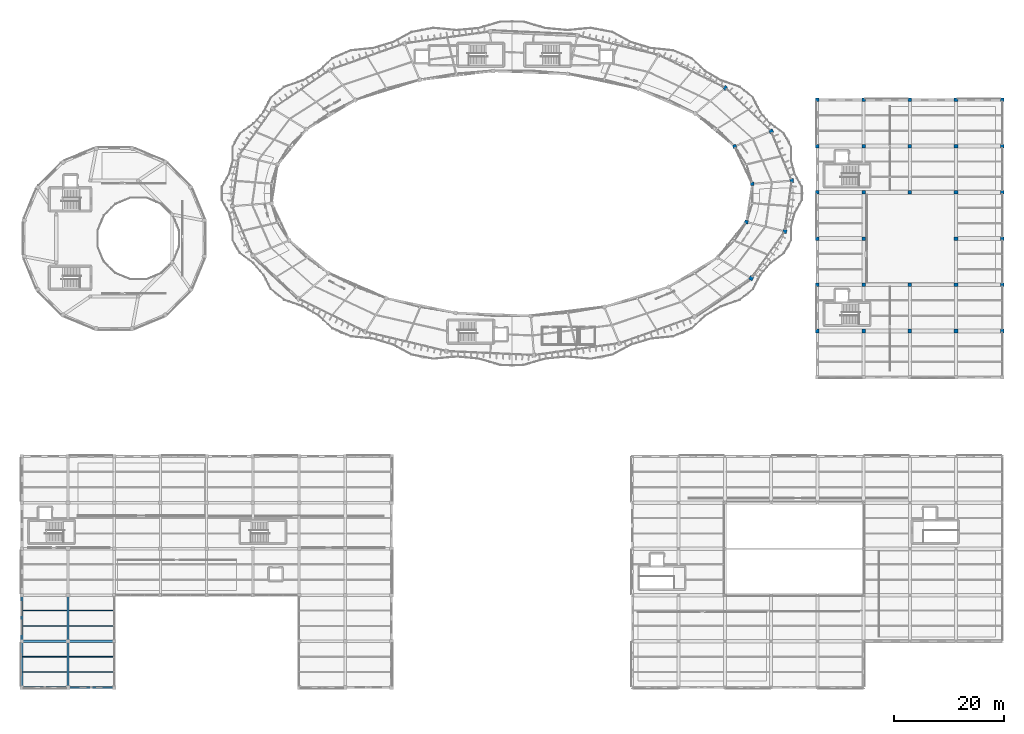
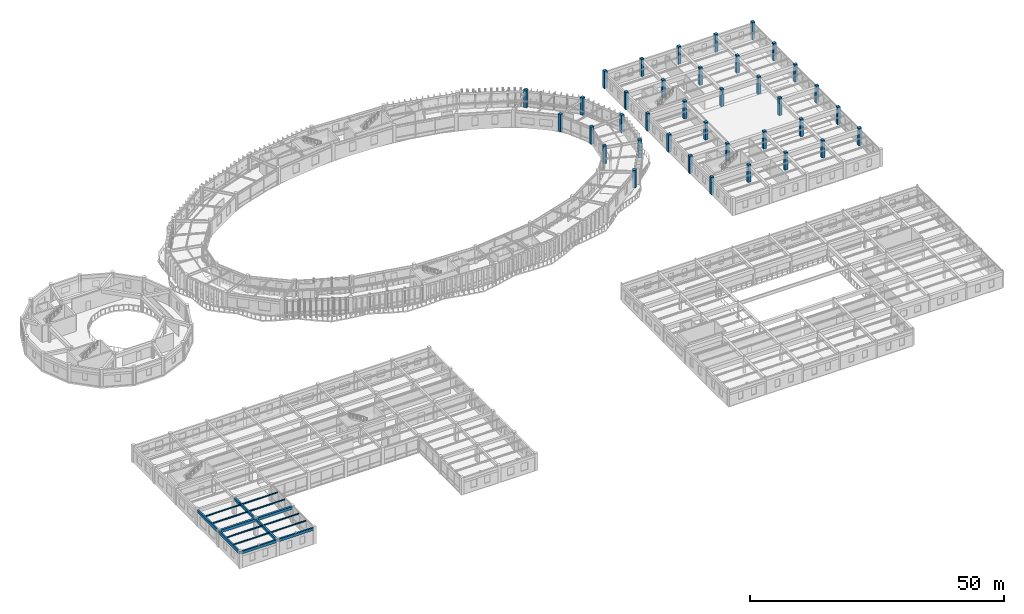
# One storey, part 9 of 138: 37 columns, 16 beams.
"""IFC4 building model written with IfcOpenShell, lengths in metres."""

from ifc_helpers import new_model, si_unit, direction, frame, origin, origin_2d, place, context, subcontext, project, spatial, rectangle, i_section, extrude, material, material_profile, profile_set, type_object, element, save


model = new_model("IFC4")

# Units and contexts
model_context = context("Model", 3, precision=1e-05, world=origin(), true_north=direction((0.0, 1.0)))
body_context = subcontext(model_context, "Body", "Model", "MODEL_VIEW")
ifc_project = project(units=[si_unit("LENGTHUNIT", "METRE"), si_unit("AREAUNIT", "SQUARE_METRE"), si_unit("VOLUMEUNIT", "CUBIC_METRE"), si_unit("PLANEANGLEUNIT", "RADIAN"), si_unit("MASSUNIT", "GRAM", prefix="KILO"), si_unit("THERMODYNAMICTEMPERATUREUNIT", "KELVIN"), si_unit("POWERUNIT", "WATT")], contexts=[model_context])

# Site, building, storey
site_placement = place(None, origin())
site = spatial("IfcSite", under=ifc_project, at=site_placement, CompositionType="ELEMENT")
building_placement = place(site_placement, origin())
building = spatial("IfcBuilding", under=site, at=building_placement, Name="Darbajah Civic Hall", CompositionType="ELEMENT")
storey_placement = place(building_placement, frame((0.0, 0.0, 9.60009765625)))
storey = spatial("IfcBuildingStorey", under=building, at=storey_placement, Name="L02", CompositionType="ELEMENT", Elevation=9.60009765625)

# Columns
ifc_material_1 = material(Name="Concrete C45/55", Category="concrete")
ifc_material_profile_1 = material_profile(ifc_material_1, rectangle(XDim=0.64990234375, YDim=0.64990234375, at=origin_2d()), Name="RC COL 650x650")
ifc_profile_set_1 = profile_set([ifc_material_profile_1], Name="Concrete C45/55")
column_type_1 = type_object("IfcColumnType", Name="RC COL 650x650", PredefinedType="COLUMN", material=ifc_profile_set_1)
for number, where, z_axis, x_axis, name in (
    (1, (132.764892578125, 91.549560546875, 0.0), (0.0, 0.0, 1.0), (0.996917333733, 0.078459095728, 0.0), "L02 column C-RC650"),
    (2, (129.56591796875, 98.333740234375, 0.0), (0.0, 0.0, 1.0), (0.923879532511, 0.382683432365, 0.0), "L02 column C-RC650"),
    (3, (131.689697265625, 84.59423828125, 0.0), (0.0, 0.0, 1.0), (0.972369920398, -0.233445363856, 0.0), "L02 column C-RC650"),
    (4, (144.60009765625, 64.800048828125, 0.0), (0.0, 0.0, 1.0), (1.0, 0.0, 0.0), "L02 column C-RC650"),
    (5, (144.60009765625, 73.199951171875, 0.0), (0.0, 0.0, 1.0), (1.0, 0.0, 0.0), "L02 column C-RC650"),
    (6, (144.60009765625, 81.60009765625, 0.0), (0.0, 0.0, 1.0), (1.0, 0.0, 0.0), "L02 column C-RC650"),
    (7, (144.60009765625, 90.0, 0.0), (0.0, 0.0, 1.0), (1.0, 0.0, 0.0), "L02 column C-RC650"),
    (8, (144.60009765625, 98.39990234375, 0.0), (0.0, 0.0, 1.0), (1.0, 0.0, 0.0), "L02 column C-RC650"),
    (9, (144.60009765625, 106.800048828125, 0.0), (0.0, 0.0, 1.0), (1.0, 0.0, 0.0), "L02 column C-RC650"),
    (10, (153.0, 64.800048828125, 0.0), (0.0, 0.0, 1.0), (1.0, 0.0, 0.0), "L02 column C-RC650"),
    (11, (153.0, 73.199951171875, 0.0), (0.0, 0.0, 1.0), (1.0, 0.0, 0.0), "L02 column C-RC650"),
    (12, (153.0, 81.60009765625, 0.0), (0.0, 0.0, 1.0), (1.0, 0.0, 0.0), "L02 column C-RC650"),
    (13, (153.0, 90.0, 0.0), (0.0, 0.0, 1.0), (1.0, 0.0, 0.0), "L02 column C-RC650"),
    (14, (153.0, 98.39990234375, 0.0), (0.0, 0.0, 1.0), (1.0, 0.0, 0.0), "L02 column C-RC650"),
    (15, (153.0, 106.800048828125, 0.0), (0.0, 0.0, 1.0), (1.0, 0.0, 0.0), "L02 column C-RC650"),
    (16, (161.39990234375, 64.800048828125, 0.0), (0.0, 0.0, 1.0), (1.0, 0.0, 0.0), "L02 column C-RC650"),
    (17, (161.39990234375, 73.199951171875, 0.0), (0.0, 0.0, 1.0), (1.0, 0.0, 0.0), "L02 column C-RC650"),
    (18, (161.39990234375, 90.0, 0.0), (0.0, 0.0, 1.0), (1.0, 0.0, 0.0), "L02 column C-RC650"),
    (19, (161.39990234375, 98.39990234375, 0.0), (0.0, 0.0, 1.0), (1.0, 0.0, 0.0), "L02 column C-RC650"),
    (20, (161.39990234375, 106.800048828125, 0.0), (0.0, 0.0, 1.0), (1.0, 0.0, 0.0), "L02 column C-RC650"),
    (21, (169.800048828125, 64.800048828125, 0.0), (0.0, 0.0, 1.0), (1.0, 0.0, 0.0), "L02 column C-RC650"),
    (22, (169.800048828125, 73.199951171875, 0.0), (0.0, 0.0, 1.0), (1.0, 0.0, 0.0), "L02 column C-RC650"),
    (23, (169.800048828125, 81.60009765625, 0.0), (0.0, 0.0, 1.0), (1.0, 0.0, 0.0), "L02 column C-RC650"),
    (24, (169.800048828125, 90.0, 0.0), (0.0, 0.0, 1.0), (1.0, 0.0, 0.0), "L02 column C-RC650"),
    (25, (169.800048828125, 98.39990234375, 0.0), (0.0, 0.0, 1.0), (1.0, 0.0, 0.0), "L02 column C-RC650"),
    (26, (169.800048828125, 106.800048828125, 0.0), (0.0, 0.0, 1.0), (1.0, 0.0, 0.0), "L02 column C-RC650"),
    (27, (178.199951171875, 64.800048828125, 0.0), (0.0, 0.0, 1.0), (1.0, 0.0, 0.0), "L02 column C-RC650"),
    (28, (178.199951171875, 73.199951171875, 0.0), (0.0, 0.0, 1.0), (1.0, 0.0, 0.0), "L02 column C-RC650"),
    (29, (178.199951171875, 81.60009765625, 0.0), (0.0, 0.0, 1.0), (1.0, 0.0, 0.0), "L02 column C-RC650"),
    (30, (178.199951171875, 90.0, 0.0), (0.0, 0.0, 1.0), (1.0, 0.0, 0.0), "L02 column C-RC650"),
    (31, (178.199951171875, 98.39990234375, 0.0), (0.0, 0.0, 1.0), (1.0, 0.0, 0.0), "L02 column C-RC650"),
    (32, (178.199951171875, 106.800048828125, 0.0), (0.0, 0.0, 1.0), (1.0, 0.0, 0.0), "L02 column C-RC650"),
):
    element("IfcColumn", number, at=place(storey_placement, frame(where, z_axis=z_axis, x_axis=x_axis)), inside=storey, type_object=column_type_1, Name=name, PredefinedType="COLUMN", context=body_context, shape_type="SweptSolid", body=[
        extrude(rectangle(XDim=0.64990234375, YDim=0.64990234375, at=origin_2d()), origin(), (0.0, 0.0, 1.0), 4.199951171875),
    ])
ifc_material_profile_2 = material_profile(ifc_material_1, rectangle(XDim=0.699951171875, YDim=0.699951171875, at=origin_2d()), Name="RC COL 700x700")
ifc_profile_set_2 = profile_set([ifc_material_profile_2], Name="Concrete C45/55")
column_type_2 = type_object("IfcColumnType", Name="RC COL 700x700", PredefinedType="COLUMN", material=ifc_profile_set_2)
for number, where, z_axis, x_axis, name in (
    (33, (139.94287109375, 92.114501953125, 0.0), (0.0, 0.0, 1.0), (0.996917333733, 0.078459095728, 0.0), "L02 column C-RC700"),
    (34, (136.218017578125, 101.089111328125, 0.0), (0.0, 0.0, 1.0), (0.923879532511, 0.382683432365, 0.0), "L02 column C-RC700"),
    (35, (127.880615234375, 108.958740234375, 0.0), (0.0, 0.0, 1.0), (0.7604059656, 0.64944804833, 0.0), "L02 column C-RC700"),
    (36, (132.584716796875, 74.38623046875, 0.0), (0.0, 0.0, 1.0), (0.852640164354, -0.522498564716, 0.0), "L02 column C-RC700"),
    (37, (138.69091796875, 82.913330078125, 0.0), (0.0, 0.0, 1.0), (0.972369920398, -0.233445363856, 0.0), "L02 column C-RC700"),
):
    element("IfcColumn", number, at=place(storey_placement, frame(where, z_axis=z_axis, x_axis=x_axis)), inside=storey, type_object=column_type_2, Name=name, PredefinedType="COLUMN", context=body_context, shape_type="SweptSolid", body=[
        extrude(rectangle(XDim=0.699951171875, YDim=0.699951171875, at=origin_2d()), origin(), (0.0, 0.0, 1.0), 4.199951171875),
    ])

# Beams
ifc_material_profile_3 = material_profile(ifc_material_1, rectangle(XDim=0.39990234375, YDim=0.60009765625, at=origin_2d()), Name="RC BEAM 400x600")
ifc_profile_set_3 = profile_set([ifc_material_profile_3], Name="Concrete C45/55")
beam_type_1 = type_object("IfcBeamType", Name="RC BEAM 400x600", PredefinedType="BEAM", material=ifc_profile_set_3)
for number, where, z_axis, x_axis, name in (
    (38, (8.39990234375, 0.080078125, 3.639892578125), (0.0, 1.0, 0.0), (-1.0, 0.0, 0.0), "L02 beam BM-4060"),
    (39, (8.39990234375, 8.47998046875, 3.639892578125), (0.0, 1.0, 0.0), (-1.0, 0.0, 0.0), "L02 beam BM-4060"),
):
    element("IfcBeam", number, at=place(storey_placement, frame(where, z_axis=z_axis, x_axis=x_axis)), inside=storey, type_object=beam_type_1, Name=name, PredefinedType="BEAM", context=body_context, shape_type="SweptSolid", body=[
        extrude(rectangle(XDim=0.39990234375, YDim=0.60009765625, at=origin_2d()), origin(), (0.0, 0.0, 1.0), 8.239990234375),
    ])
ifc_material_profile_4 = material_profile(ifc_material_1, rectangle(XDim=0.449951171875, YDim=0.64990234375, at=origin_2d()), Name="RC BEAM 450x650")
ifc_profile_set_4 = profile_set([ifc_material_profile_4], Name="Concrete C45/55")
beam_type_2 = type_object("IfcBeamType", Name="RC BEAM 450x650", PredefinedType="BEAM", material=ifc_profile_set_4)
for number, where, z_axis, x_axis, name in (
    (40, (0.080078125, 8.39990234375, 3.614990234375), (1.0, 0.0, 0.0), (0.0, 1.0, 0.0), "L02 beam BM-4565"),
    (41, (8.47998046875, 8.39990234375, 3.614990234375), (1.0, 0.0, 0.0), (0.0, 1.0, 0.0), "L02 beam BM-4565"),
):
    element("IfcBeam", number, at=place(storey_placement, frame(where, z_axis=z_axis, x_axis=x_axis)), inside=storey, type_object=beam_type_2, Name=name, PredefinedType="BEAM", context=body_context, shape_type="SweptSolid", body=[
        extrude(rectangle(XDim=0.449951171875, YDim=0.64990234375, at=origin_2d()), origin(), (0.0, 0.0, 1.0), 8.239990234375),
    ])
ifc_material_profile_5 = material_profile(ifc_material_1, rectangle(XDim=0.35009765625, YDim=0.64990234375, at=origin_2d()), Name="RC SPANDREL 350x650")
ifc_profile_set_5 = profile_set([ifc_material_profile_5], Name="Concrete C45/55")
beam_type_3 = type_object("IfcBeamType", Name="RC SPANDREL 350x650", PredefinedType="SPANDREL", material=ifc_profile_set_5)
for number, where, z_axis, x_axis, name in (
    (42, (0.080078125, 0.0, 3.614990234375), (1.0, 0.0, 0.0), (0.0, 1.0, 0.0), "L02 beam SP-3565"),
    (43, (8.47998046875, 0.0, 3.614990234375), (1.0, 0.0, 0.0), (0.0, 1.0, 0.0), "L02 beam SP-3565"),
    (44, (0.0, 0.080078125, 3.614990234375), (0.0, 1.0, 0.0), (-1.0, 0.0, 0.0), "L02 beam SP-3565"),
    (45, (0.0, 8.47998046875, 3.614990234375), (0.0, 1.0, 0.0), (-1.0, 0.0, 0.0), "L02 beam SP-3565"),
):
    element("IfcBeam", number, at=place(storey_placement, frame(where, z_axis=z_axis, x_axis=x_axis)), inside=storey, type_object=beam_type_3, Name=name, PredefinedType="SPANDREL", context=body_context, shape_type="SweptSolid", body=[
        extrude(rectangle(XDim=0.35009765625, YDim=0.64990234375, at=origin_2d()), origin(), (0.0, 0.0, 1.0), 8.239990234375),
    ])
ifc_material_2 = material(Name="Steel S355JR", Category="steel")
ifc_material_profile_6 = material_profile(ifc_material_2, i_section(OverallWidth=0.1337890625, OverallDepth=0.206787109375, WebThickness=0.00634765625, FlangeThickness=0.009521484375, FilletRadius=0.007568359375, at=origin_2d()), Name="UB 203x133x30")
ifc_profile_set_6 = profile_set([ifc_material_profile_6], Name="Steel S355JR")
beam_type_4 = type_object("IfcBeamType", Name="UB 203x133x30", PredefinedType="JOIST", material=ifc_profile_set_6)
for number, where, z_axis, x_axis, name in (
    (46, (0.175048828125, 2.800048828125, 3.83642578125), (1.0, 0.0, 0.0), (0.0, 1.0, 0.0), "L02 beam SJ-203"),
    (47, (0.175048828125, 5.60009765625, 3.83642578125), (1.0, 0.0, 0.0), (0.0, 1.0, 0.0), "L02 beam SJ-203"),
    (48, (0.175048828125, 11.199951171875, 3.83642578125), (1.0, 0.0, 0.0), (0.0, 1.0, 0.0), "L02 beam SJ-203"),
    (49, (0.175048828125, 14.0, 3.83642578125), (1.0, 0.0, 0.0), (0.0, 1.0, 0.0), "L02 beam SJ-203"),
):
    element("IfcBeam", number, at=place(storey_placement, frame(where, z_axis=z_axis, x_axis=x_axis)), inside=storey, type_object=beam_type_4, Name=name, PredefinedType="JOIST", context=body_context, shape_type="SweptSolid", body=[
        extrude(i_section(OverallWidth=0.1337890625, OverallDepth=0.206787109375, WebThickness=0.00634765625, FlangeThickness=0.009521484375, FilletRadius=0.007568359375, at=origin_2d()), origin(), (0.0, 0.0, 1.0), 8.02490234375),
    ])
for number, where, z_axis, x_axis, name in (
    (50, (8.60009765625, 2.800048828125, 3.83642578125), (1.0, 0.0, 0.0), (0.0, 1.0, 0.0), "L02 beam SJ-203"),
    (51, (8.60009765625, 5.60009765625, 3.83642578125), (1.0, 0.0, 0.0), (0.0, 1.0, 0.0), "L02 beam SJ-203"),
    (52, (8.60009765625, 11.199951171875, 3.83642578125), (1.0, 0.0, 0.0), (0.0, 1.0, 0.0), "L02 beam SJ-203"),
    (53, (8.60009765625, 14.0, 3.83642578125), (1.0, 0.0, 0.0), (0.0, 1.0, 0.0), "L02 beam SJ-203"),
):
    element("IfcBeam", number, at=place(storey_placement, frame(where, z_axis=z_axis, x_axis=x_axis)), inside=storey, type_object=beam_type_4, Name=name, PredefinedType="JOIST", context=body_context, shape_type="SweptSolid", body=[
        extrude(i_section(OverallWidth=0.1337890625, OverallDepth=0.206787109375, WebThickness=0.00634765625, FlangeThickness=0.009521484375, FilletRadius=0.007568359375, at=origin_2d()), origin(), (0.0, 0.0, 1.0), 8.0),
    ])

save(model, "model.ifc")
